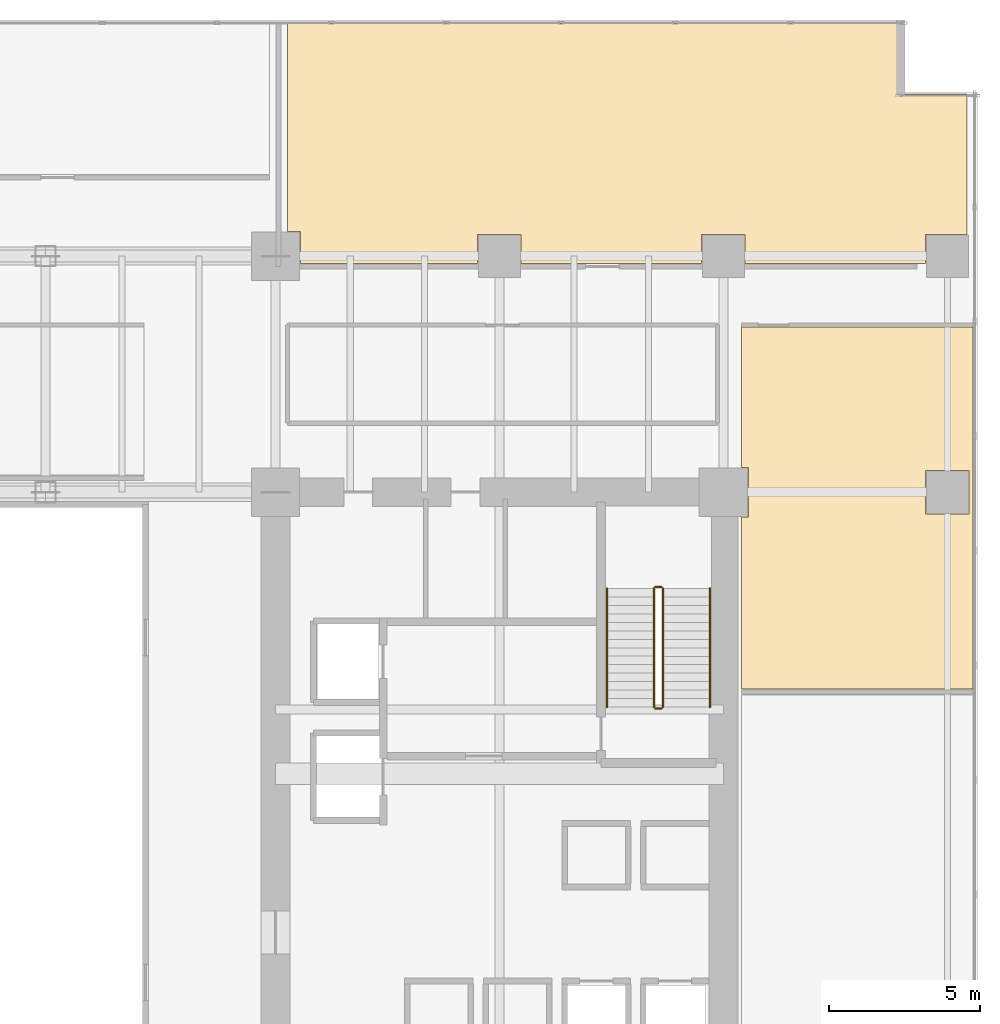
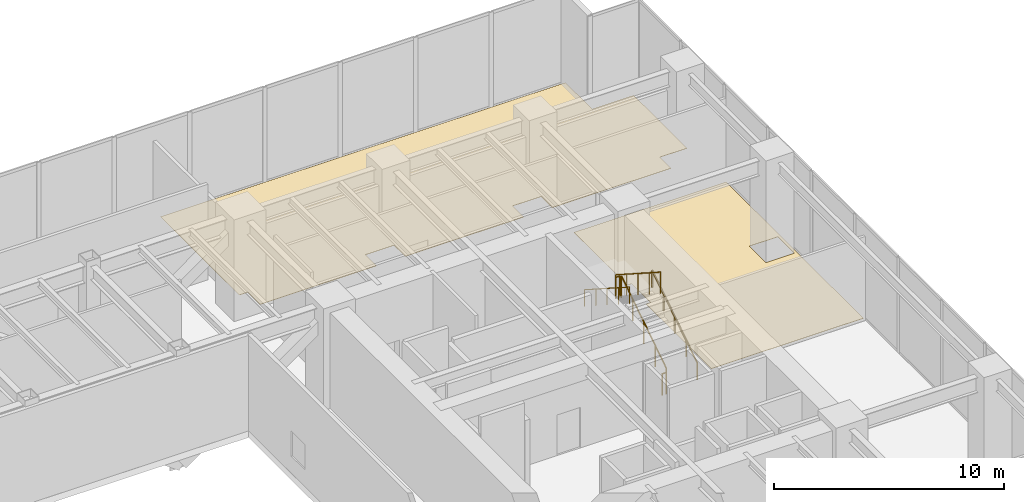
# One storey, part 35 of 35: 6 railings, 2 coverings.
"""IFC4 building model written with IfcOpenShell, lengths in metres."""

import ifcopenshell
import ifcopenshell.guid

model = None  # the IFC model being written
_history = None  # IfcOwnerHistory: only IFC2X3 demands one
_inside = {}  # id of a spatial element -> (the spatial element, [elements in it])
_under = {}  # id of a project, library or spatial element -> (it, [spatial elements below it])
_declared = {}  # id of a project -> (the project, [libraries it declares])
_typed = {}  # id of a type object -> (the type object, [elements of that type])
_made_of = {}  # id of a material, layer set ... -> (it, [elements and type objects made of it])


def new_model(schema):
    """Start an empty IFC model of exactly this schema.

    Asked for "IFC4X3", IfcOpenShell would pick the latest addendum, in which some entities
    have other attributes; the version numbers below select the first issue.
    IFC2X3 requires an IfcOwnerHistory on every rooted entity: one is made here for all.
    """
    global model, _history
    if schema == "IFC4X3":
        model = ifcopenshell.file(schema_version=(4, 3, 0, 0))
    else:
        model = ifcopenshell.file(schema=schema)
    _inside.clear()
    _under.clear()
    _declared.clear()
    _typed.clear()
    _made_of.clear()
    _history = None
    if model.schema == "IFC2X3":
        org = make("IfcOrganization", Name="unknown")
        user = make(
            "IfcPersonAndOrganization",
            ThePerson=make("IfcPerson", FamilyName="unknown"),
            TheOrganization=org,
        )
        app = make(
            "IfcApplication",
            ApplicationDeveloper=org,
            Version="unknown",
            ApplicationFullName="unknown",
            ApplicationIdentifier="unknown",
        )
        _history = make(
            "IfcOwnerHistory",
            OwningUser=user,
            OwningApplication=app,
            ChangeAction="ADDED",
            CreationDate=0,
        )
    return model


def make(cls, **values):
    """One entity of the class cls with the attributes given. An attribute that is None is left unset."""
    return model.create_entity(
        cls, **{name: value for name, value in values.items() if value is not None}
    )


def rooted(cls, **values):
    """An entity with a GlobalId (a new one), such as an element, a storey or a relation."""
    return make(cls, GlobalId=ifcopenshell.guid.new(), OwnerHistory=_history, **values)


def si_unit(unit_type, name, prefix=None):
    """IfcSIUnit, for example si_unit("LENGTHUNIT", "METRE", prefix="MILLI")."""
    return make("IfcSIUnit", UnitType=unit_type, Prefix=prefix, Name=name)


def assignment(units):
    """IfcUnitAssignment: the units of a project."""
    return None if units is None else make("IfcUnitAssignment", Units=units)


def point(xyz):
    """IfcCartesianPoint."""
    return None if xyz is None else make("IfcCartesianPoint", Coordinates=xyz)


def direction(xyz):
    """IfcDirection."""
    return None if xyz is None else make("IfcDirection", DirectionRatios=xyz)


def frame(location, z_axis=None, x_axis=None):
    """IfcAxis2Placement3D, a coordinate frame: its origin and axes. An axis left out is left unset."""
    return make(
        "IfcAxis2Placement3D",
        Location=point(location),
        Axis=direction(z_axis),
        RefDirection=direction(x_axis),
    )


def frame_2d(location, x_axis=None):
    """IfcAxis2Placement2D, a coordinate frame in the plane: its origin and x axis."""
    return make(
        "IfcAxis2Placement2D", Location=point(location), RefDirection=direction(x_axis)
    )


def origin():
    """The frame at (0, 0, 0) with its axes left unset."""
    return frame((0.0, 0.0, 0.0))


def origin_2d():
    """The frame at (0, 0) in the plane with its x axis left unset."""
    return frame_2d((0.0, 0.0))


def place(relative_to, where):
    """IfcLocalPlacement: puts the frame where relative to a parent placement (None: the world)."""
    return make(
        "IfcLocalPlacement", PlacementRelTo=relative_to, RelativePlacement=where
    )


def context(
    kind, dimensions, precision=None, world=None, true_north=None, identifier=None
):
    """IfcGeometricRepresentationContext, for example the 3D "Model" context."""
    return make(
        "IfcGeometricRepresentationContext",
        ContextIdentifier=identifier,
        ContextType=kind,
        CoordinateSpaceDimension=dimensions,
        Precision=precision,
        WorldCoordinateSystem=world,
        TrueNorth=true_north,
    )


def subcontext(parent, identifier, kind, view, scale=None):
    """IfcGeometricRepresentationSubContext, for example "Body" below "Model"."""
    return make(
        "IfcGeometricRepresentationSubContext",
        ContextIdentifier=identifier,
        ContextType=kind,
        ParentContext=parent,
        TargetScale=scale,
        TargetView=view,
    )


def project(units=None, contexts=None):
    """IfcProject with its units and contexts."""
    return rooted(
        "IfcProject",
        Name="project",
        RepresentationContexts=contexts,
        UnitsInContext=assignment(units),
    )


def spatial(cls, under=None, at=None, **own):
    """A site, building, storey or space (cls), placed at a placement, below another one or the project."""
    s = rooted(cls, ObjectPlacement=at, **own)
    if under is not None:
        _under.setdefault(under.id(), (under, []))[1].append(s)
    return s


def polyline(points):
    """IfcPolyline through the points."""
    return make("IfcPolyline", Points=[point(p) for p in points])


def profile(cls, at=None, kind="AREA", **sizes):
    """A parametric profile (cls). Its sizes go by their IFC names, for example OverallWidth=200.0."""
    return make(cls, ProfileType=kind, Position=at, **sizes)


def circle(**sizes):
    """IfcCircleProfileDef."""
    return profile("IfcCircleProfileDef", **sizes)


def outline(outer, holes=None, kind="AREA"):
    """IfcArbitraryClosedProfileDef: a profile drawn as a closed curve; with holes, ...WithVoids."""
    if holes is None:
        return make("IfcArbitraryClosedProfileDef", ProfileType=kind, OuterCurve=outer)
    return make(
        "IfcArbitraryProfileDefWithVoids",
        ProfileType=kind,
        OuterCurve=outer,
        InnerCurves=holes,
    )


def extrude(swept, where, along, depth):
    """IfcExtrudedAreaSolid: the profile swept, set in the frame where, extruded along a direction by depth."""
    return make(
        "IfcExtrudedAreaSolid",
        SweptArea=swept,
        Position=where,
        ExtrudedDirection=direction(along),
        Depth=depth,
    )


def shape(context_of_items, identifier, shape_type, items):
    """IfcShapeRepresentation: the items that make up one representation, for example the "Body"."""
    return make(
        "IfcShapeRepresentation",
        ContextOfItems=context_of_items,
        RepresentationIdentifier=identifier,
        RepresentationType=shape_type,
        Items=items,
    )


def source(mapping_origin, context_of_items, identifier, shape_type, items):
    """IfcRepresentationMap: a shape defined once, which mapped items show again and again."""
    return make(
        "IfcRepresentationMap",
        MappingOrigin=mapping_origin,
        MappedRepresentation=shape(context_of_items, identifier, shape_type, items),
    )


def transform(
    local_origin,
    x_axis=None,
    y_axis=None,
    z_axis=None,
    scale=None,
    scale2=None,
    scale3=None,
    uniform=True,
):
    """IfcCartesianTransformationOperator3D, or its non-uniform kind. x_axis, y_axis, z_axis: its Axis1, 2, 3."""
    if uniform:
        return make(
            "IfcCartesianTransformationOperator3D",
            Axis1=direction(x_axis),
            Axis2=direction(y_axis),
            LocalOrigin=point(local_origin),
            Scale=scale,
            Axis3=direction(z_axis),
        )
    return make(
        "IfcCartesianTransformationOperator3DnonUniform",
        Axis1=direction(x_axis),
        Axis2=direction(y_axis),
        LocalOrigin=point(local_origin),
        Scale=scale,
        Axis3=direction(z_axis),
        Scale2=scale2,
        Scale3=scale3,
    )


def mapped(mapping_source, mapping_target):
    """IfcMappedItem: shows the shape of a source again, moved by a transform."""
    return make(
        "IfcMappedItem", MappingSource=mapping_source, MappingTarget=mapping_target
    )


def material(Name=None, Category=None):
    """IfcMaterial."""
    return make("IfcMaterial", Name=Name, Category=Category)


def layer(
    of_material, thickness, ventilated=None, Name=None, Category=None, Priority=None
):
    """IfcMaterialLayer: one layer of a wall or slab, of a material (None: an air gap)."""
    return make(
        "IfcMaterialLayer",
        Material=of_material,
        LayerThickness=thickness,
        IsVentilated=ventilated,
        Name=Name,
        Category=Category,
        Priority=Priority,
    )


def layer_set(layers, Name=None):
    """IfcMaterialLayerSet."""
    return make("IfcMaterialLayerSet", MaterialLayers=layers, LayerSetName=Name)


def made_of(thing, what):
    """Note that an element or type object is made of a material, layer set ...; save() writes the relation."""
    if what is not None:
        _made_of.setdefault(what.id(), (what, []))[1].append(thing)
    return thing


def type_object(cls, material=None, **own):
    """A type object (cls), such as IfcWallType, which elements share."""
    return made_of(rooted(cls, **own), material)


def type_shapes(of_type, sources):
    """Give a type object the sources (RepresentationMaps) that its elements show as mapped items."""
    of_type.RepresentationMaps = sources


def element(
    cls,
    number,
    at=None,
    inside=None,
    cuts=None,
    type_object=None,
    material=None,
    context=None,
    identifier="Body",
    shape_type=None,
    held_by="IfcProductDefinitionShape",
    body=None,
    shapes=None,
    **own,
):
    """One element of the class cls, such as IfcWall. Its Tag is "e" and its number.

    at: its placement. inside: the storey or other place that contains it. cuts: it is an
    opening in that element (IfcRelVoidsElement). A single representation is given by context,
    identifier, shape_type and body (its items); several are given by shapes. held_by: the class
    of the entity that holds the representations. save() writes the other relations.
    """
    e = rooted(cls, Tag="e%d" % number, ObjectPlacement=at, **own)
    if body is not None:
        shapes = [shape(context, identifier, shape_type, body)]
    if shapes is not None:
        e.Representation = make(held_by, Representations=shapes)
    if inside is not None:
        _inside.setdefault(inside.id(), (inside, []))[1].append(e)
    if cuts is not None:
        rooted(
            "IfcRelVoidsElement", RelatingBuildingElement=cuts, RelatedOpeningElement=e
        )
    if type_object is not None:
        _typed.setdefault(type_object.id(), (type_object, []))[1].append(e)
    return made_of(e, material)


def aggregate(whole, parts):
    """IfcRelAggregates: a whole, such as a stair, and the parts it consists of."""
    return rooted("IfcRelAggregates", RelatingObject=whole, RelatedObjects=parts)


def save(model, path):
    """Write the relations noted so far, then the file.

    IfcRelAggregates (storeys below a building ...), IfcRelContainedInSpatialStructure (elements
    in a storey), IfcRelDefinesByType, IfcRelAssociatesMaterial and IfcRelDeclares: one each for
    every whole, place, type object, material and project.
    """
    for whole, parts in _under.values():
        aggregate(whole, parts)
    for where, things in _inside.values():
        rooted(
            "IfcRelContainedInSpatialStructure",
            RelatedElements=things,
            RelatingStructure=where,
        )
    for kind, things in _typed.values():
        rooted("IfcRelDefinesByType", RelatedObjects=things, RelatingType=kind)
    for what, things in _made_of.values():
        rooted("IfcRelAssociatesMaterial", RelatedObjects=things, RelatingMaterial=what)
    for by, libraries in _declared.values():
        rooted("IfcRelDeclares", RelatingContext=by, RelatedDefinitions=libraries)
    model.write(path)


model = new_model("IFC4")

# Units and contexts
model_context = context("Model", 3, precision=1e-05, world=origin(), true_north=direction((0.0, 1.0)))
body_context = subcontext(model_context, "Body", "Model", "MODEL_VIEW")
ifc_project = project(units=[si_unit("LENGTHUNIT", "METRE"), si_unit("AREAUNIT", "SQUARE_METRE"), si_unit("VOLUMEUNIT", "CUBIC_METRE"), si_unit("PLANEANGLEUNIT", "RADIAN"), si_unit("MASSUNIT", "GRAM", prefix="KILO")], contexts=[model_context])

# Site, building, storey
site_placement = place(None, origin())
site = spatial("IfcSite", under=ifc_project, at=site_placement, CompositionType="ELEMENT")
building_placement = place(site_placement, origin())
building = spatial("IfcBuilding", under=site, at=building_placement, Name="Haelvirn Gate Laboratories", CompositionType="ELEMENT")
storey_placement = place(building_placement, frame((0.0, 0.0, 19.800048828125)))
storey = spatial("IfcBuildingStorey", under=building, at=storey_placement, Name="L05", CompositionType="ELEMENT", Elevation=19.800048828125)

# Coverings
ifc_material_1 = material(Name="Seamless chemical-resistant epoxy laboratory flooring")
ifc_layer = layer(ifc_material_1, 0.01806640625, Name="COV-FLR-RESIN")
ifc_layer_set = layer_set([ifc_layer], Name="Seamless chemical-resistant epoxy laboratory flooring")
covering_type = type_object("IfcCoveringType", Name="COV-FLR-RESIN", PredefinedType="FLOORING", material=ifc_layer_set)
covering_1_placement = place(storey_placement, origin())
element("IfcCovering", 1, at=covering_1_placement, inside=storey, type_object=covering_type, Name="L05 Seamless Laboratory Flooring FLR-SP-L05-NO-4", PredefinedType="FLOORING", context=body_context, shape_type="SweptSolid", body=[
    extrude(outline(polyline([(73.360107421875, 47.0), (73.360107421875, 46.99609375), (73.36083984375, 46.9921875), (73.36181640625, 46.98828125), (73.363037109375, 46.984619140625), (73.36474609375, 46.981201171875), (73.36669921875, 46.977783203125), (73.369140625, 46.974609375), (73.37158203125, 46.9716796875), (73.37451171875, 46.968994140625), (73.377685546875, 46.966796875), (73.381103515625, 46.964599609375), (73.384765625, 46.962890625), (73.388427734375, 46.961669921875), (73.39208984375, 46.960693359375), (73.39599609375, 46.960205078125), (73.39990234375, 46.9599609375), (75.449951171875, 46.9599609375), (75.449951171875, 42.320068359375), (74.080078125, 42.320068359375), (74.080078125, 41.35009765625), (68.1201171875, 41.35009765625), (68.1201171875, 42.320068359375), (66.679931640625, 42.320068359375), (66.679931640625, 41.35009765625), (60.719970703125, 41.35009765625), (60.719970703125, 42.320068359375), (59.280029296875, 42.320068359375), (59.280029296875, 41.35009765625), (53.419921875, 41.35009765625), (53.419921875, 42.419921875), (53.0, 42.419921875), (53.0, 49.280029296875), (73.360107421875, 49.280029296875), (73.360107421875, 47.0)])), origin(), (0.0, 0.0, 1.0), 0.01806640625),
])
covering_2_placement = place(storey_placement, origin())
element("IfcCovering", 2, at=covering_2_placement, inside=storey, type_object=covering_type, Name="L05 Seamless Laboratory Flooring FLR-SP-L05-WING-E-N", PredefinedType="FLOORING", context=body_context, shape_type="SweptSolid", body=[
    extrude(outline(polyline([(68.0, 34.6201171875), (68.0, 39.25), (75.64990234375, 39.25), (75.64990234375, 27.300048828125), (68.0, 27.300048828125), (68.0, 32.97998046875), (68.219970703125, 32.97998046875), (68.219970703125, 34.6201171875), (68.0, 34.6201171875)]), holes=[polyline([(74.080078125, 33.080078125), (75.52001953125, 33.080078125), (75.52001953125, 34.52001953125), (74.080078125, 34.52001953125), (74.080078125, 33.080078125)])]), origin(), (0.0, 0.0, 1.0), 0.01806640625),
])

# Railings
ifc_material_2 = material(Name="Galvanised steel SM355 & stainless top rail", Category="steel")
railing_type_1 = type_object("IfcRailingType", Name="RL-GUARD-1150", PredefinedType="GUARDRAIL", material=ifc_material_2)
shared_shape_1 = source(origin(), body_context, "Body", "SweptSolid", [
    extrude(circle(Radius=0.02392578125, at=origin_2d()), frame((0.0, 0.0, 1.1259765625), z_axis=(0.0, 0.841186985886, 0.540744352514), x_axis=(-1.0, 0.0, 0.0)), (0.0, 0.0, 1.0), 4.660400390625),
    extrude(circle(Radius=0.02099609375, at=origin_2d()), origin(), (0.0, 0.0, 1.0), 1.101806640625),
    extrude(circle(Radius=0.02099609375, at=origin_2d()), frame((0.0, 0.97998046875, 0.6298828125)), (0.0, 0.0, 1.0), 1.101806640625),
    extrude(circle(Radius=0.02099609375, at=origin_2d()), frame((0.0, 1.9599609375, 1.260009765625)), (0.0, 0.0, 1.0), 1.101806640625),
    extrude(circle(Radius=0.02099609375, at=origin_2d()), frame((0.0, 2.940185546875, 1.89013671875)), (0.0, 0.0, 1.0), 1.101806640625),
    extrude(circle(Radius=0.02099609375, at=origin_2d()), frame((0.0, 3.920166015625, 2.52001953125)), (0.0, 0.0, 1.0), 1.101806640625),
])
railing_1_placement = place(storey_placement, frame((65.39990234375, 26.699951171875, 0.179931640625)))
element("IfcRailing", 3, at=railing_1_placement, inside=storey, type_object=railing_type_1, Name="L05 ST2 stair guard 1", PredefinedType="GUARDRAIL", context=body_context, shape_type="MappedRepresentation", body=[
    mapped(shared_shape_1, transform((0.0, 0.0, 0.0), scale=1.0)),
])
shared_shape_2 = source(origin(), body_context, "Body", "SweptSolid", [
    extrude(circle(Radius=0.02392578125, at=origin_2d()), frame((0.0, 0.0, 1.1259765625), z_axis=(0.0, -0.841186985886, 0.540744352514), x_axis=(1.0, 0.0, 0.0)), (0.0, 0.0, 1.0), 4.660400390625),
    extrude(circle(Radius=0.02099609375, at=origin_2d()), origin(), (0.0, 0.0, 1.0), 1.101806640625),
    extrude(circle(Radius=0.02099609375, at=origin_2d()), frame((0.0, -0.97998046875, 0.6298828125)), (0.0, 0.0, 1.0), 1.101806640625),
    extrude(circle(Radius=0.02099609375, at=origin_2d()), frame((0.0, -1.9599609375, 1.260009765625)), (0.0, 0.0, 1.0), 1.101806640625),
    extrude(circle(Radius=0.02099609375, at=origin_2d()), frame((0.0, -2.940185546875, 1.89013671875)), (0.0, 0.0, 1.0), 1.101806640625),
    extrude(circle(Radius=0.02099609375, at=origin_2d()), frame((0.0, -3.920166015625, 2.52001953125)), (0.0, 0.0, 1.0), 1.101806640625),
])
railing_2_placement = place(storey_placement, frame((65.10009765625, 30.6201171875, 2.8798828125)))
element("IfcRailing", 4, at=railing_2_placement, inside=storey, type_object=railing_type_1, Name="L05 ST2 stair guard 3", PredefinedType="GUARDRAIL", context=body_context, shape_type="MappedRepresentation", body=[
    mapped(shared_shape_2, transform((0.0, 0.0, 0.0), scale=1.0)),
])
ifc_material_3 = material(Name="Brushed stainless steel 316L", Category="steel")
railing_type_2 = type_object("IfcRailingType", Name="RL-HAND-920", PredefinedType="HANDRAIL", material=ifc_material_3)
shared_shape_3 = source(origin(), body_context, "Body", "SweptSolid", [
    extrude(circle(Radius=0.02392578125, at=origin_2d()), frame((0.0, 0.0, 0.8759765625), z_axis=(0.0, 0.841186985886, 0.540744352514), x_axis=(-1.0, 0.0, 0.0)), (0.0, 0.0, 1.0), 4.660400390625),
    extrude(circle(Radius=0.02099609375, at=origin_2d()), origin(), (0.0, 0.0, 1.0), 0.851806640625),
    extrude(circle(Radius=0.02099609375, at=origin_2d()), frame((0.0, 0.97998046875, 0.6298828125)), (0.0, 0.0, 1.0), 0.851806640625),
    extrude(circle(Radius=0.02099609375, at=origin_2d()), frame((0.0, 1.9599609375, 1.260009765625)), (0.0, 0.0, 1.0), 0.851806640625),
    extrude(circle(Radius=0.02099609375, at=origin_2d()), frame((0.0, 2.940185546875, 1.89013671875)), (0.0, 0.0, 1.0), 0.851806640625),
    extrude(circle(Radius=0.02099609375, at=origin_2d()), frame((0.0, 3.920166015625, 2.52001953125)), (0.0, 0.0, 1.0), 0.851806640625),
])
railing_3_placement = place(storey_placement, frame((66.949951171875, 26.699951171875, 0.179931640625)))
element("IfcRailing", 5, at=railing_3_placement, inside=storey, type_object=railing_type_2, Name="L05 ST2 stair handrail 1", PredefinedType="HANDRAIL", context=body_context, shape_type="MappedRepresentation", body=[
    mapped(shared_shape_3, transform((0.0, 0.0, 0.0), scale=1.0)),
])
shared_shape_4 = source(origin(), body_context, "Body", "SweptSolid", [
    extrude(circle(Radius=0.02392578125, at=origin_2d()), frame((0.0, 0.0, 0.8759765625), z_axis=(0.0, -0.841186985886, 0.540744352514), x_axis=(1.0, 0.0, 0.0)), (0.0, 0.0, 1.0), 4.660400390625),
    extrude(circle(Radius=0.02099609375, at=origin_2d()), origin(), (0.0, 0.0, 1.0), 0.851806640625),
    extrude(circle(Radius=0.02099609375, at=origin_2d()), frame((0.0, -0.97998046875, 0.6298828125)), (0.0, 0.0, 1.0), 0.851806640625),
    extrude(circle(Radius=0.02099609375, at=origin_2d()), frame((0.0, -1.9599609375, 1.260009765625)), (0.0, 0.0, 1.0), 0.851806640625),
    extrude(circle(Radius=0.02099609375, at=origin_2d()), frame((0.0, -2.940185546875, 1.89013671875)), (0.0, 0.0, 1.0), 0.851806640625),
    extrude(circle(Radius=0.02099609375, at=origin_2d()), frame((0.0, -3.920166015625, 2.52001953125)), (0.0, 0.0, 1.0), 0.851806640625),
])
type_shapes(railing_type_2, [shared_shape_3, shared_shape_4])
railing_4_placement = place(storey_placement, frame((63.550048828125, 30.6201171875, 2.8798828125)))
element("IfcRailing", 6, at=railing_4_placement, inside=storey, type_object=railing_type_2, Name="L05 ST2 stair handrail 2", PredefinedType="HANDRAIL", context=body_context, shape_type="MappedRepresentation", body=[
    mapped(shared_shape_4, transform((0.0, 0.0, 0.0), scale=1.0)),
])
shared_shape_5 = source(origin(), body_context, "Body", "SweptSolid", [
    extrude(circle(Radius=0.02392578125, at=origin_2d()), frame((0.0, 0.0, 1.1259765625), z_axis=(-1.0, 0.0, 0.0), x_axis=(0.0, -1.0, 0.0)), (0.0, 0.0, 1.0), 0.2001953125),
    extrude(circle(Radius=0.02099609375, at=origin_2d()), origin(), (0.0, 0.0, 1.0), 1.101806640625),
    extrude(circle(Radius=0.02099609375, at=origin_2d()), frame((-0.2001953125, 0.0, 0.0)), (0.0, 0.0, 1.0), 1.101806640625),
])
type_shapes(railing_type_1, [shared_shape_1, shared_shape_2, shared_shape_5])
for number, where, name in (
    (7, (65.35009765625, 30.669921875, 2.699951171875), "L05 ST2 stair guard 2"),
    (8, (65.35009765625, 26.64990234375, 0.0), "L05 ST2 stair guard 4"),
):
    element("IfcRailing", number, at=place(storey_placement, frame(where)), inside=storey, type_object=railing_type_1, Name=name, PredefinedType="GUARDRAIL", context=body_context, shape_type="MappedRepresentation", body=[
        mapped(shared_shape_5, transform((0.0, 0.0, 0.0), scale=1.0)),
    ])

save(model, "model.ifc")
